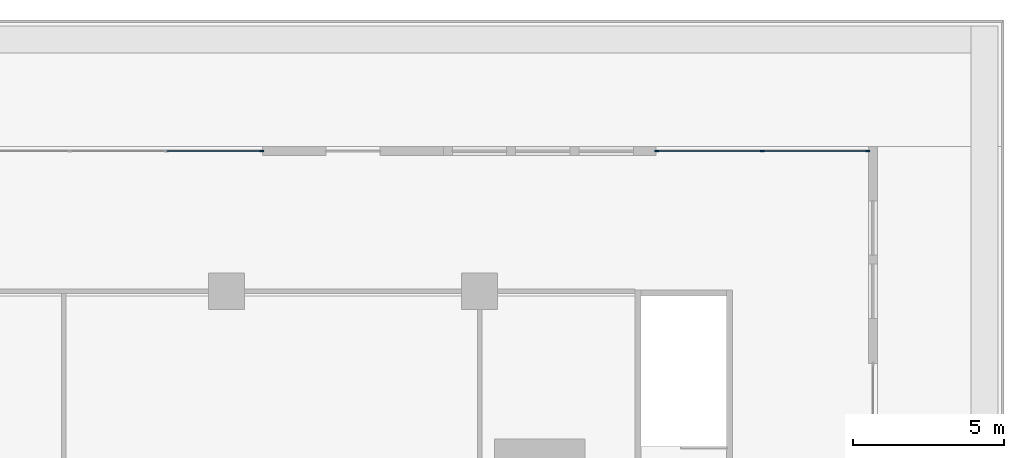
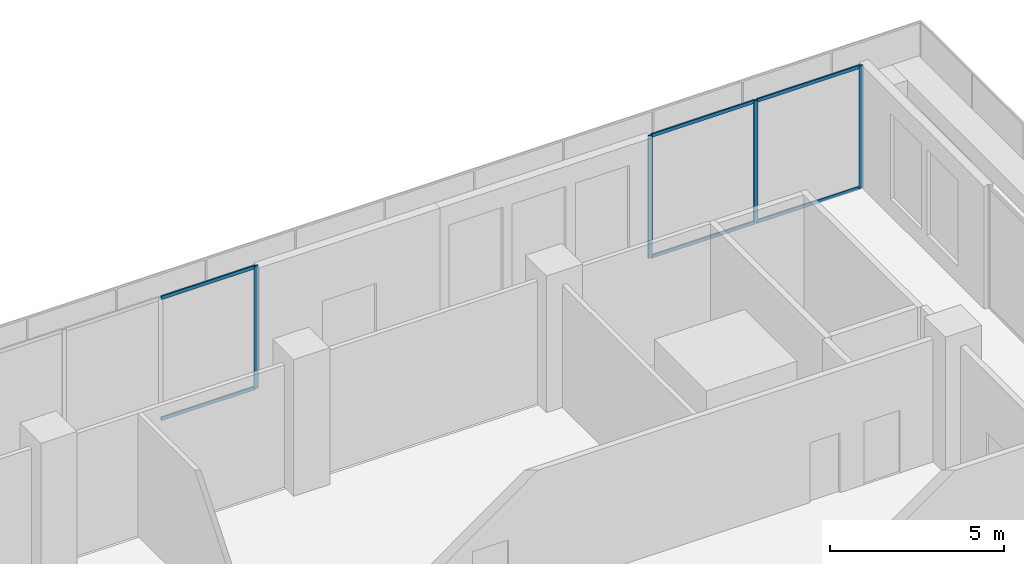
# One storey, part 10 of 22: 10 members, 2 elements without a shape of their own.
"""IFC4 building model written with IfcOpenShell, lengths in metres."""

from ifc_helpers import new_model, si_unit, direction, frame, origin, origin_2d, place, context, subcontext, project, spatial, rectangle, extrude, material, material_profile, profile_set, type_object, element, aggregate, save


model = new_model("IFC4")

# Units and contexts
model_context = context("Model", 3, precision=1e-05, world=origin(), true_north=direction((0.0, 1.0)))
body_context = subcontext(model_context, "Body", "Model", "MODEL_VIEW")
ifc_project = project(units=[si_unit("LENGTHUNIT", "METRE"), si_unit("AREAUNIT", "SQUARE_METRE"), si_unit("VOLUMEUNIT", "CUBIC_METRE"), si_unit("PLANEANGLEUNIT", "RADIAN"), si_unit("MASSUNIT", "GRAM", prefix="KILO")], contexts=[model_context])

# Site, building, storey
site_placement = place(None, origin())
site = spatial("IfcSite", under=ifc_project, at=site_placement, CompositionType="ELEMENT")
building_placement = place(site_placement, origin())
building = spatial("IfcBuilding", under=site, at=building_placement, Name="Khepri Terraces", CompositionType="ELEMENT")
storey_placement = place(building_placement, frame((0.0, 0.0, 22.199951171875)))
storey = spatial("IfcBuildingStorey", under=building, at=storey_placement, Name="L04", CompositionType="ELEMENT", Elevation=22.199951171875)

# Curtain wall, members
ifc_material_1 = material(Name="Anodised aluminium bronze curtain wall", Category="aluminium")
curtain_wall_type = type_object("IfcCurtainWallType", Name="CW-SYS6-LOUNGE", PredefinedType="NOTDEFINED", material=ifc_material_1)
curtain_wall_1_placement = place(storey_placement, origin())
curtain_wall_1 = element("IfcCurtainWall", 1, at=curtain_wall_1_placement, inside=storey, type_object=curtain_wall_type, Name="Curtain wall CW6 L04 N", PredefinedType="NOTDEFINED")
ifc_material_2 = material(Name="Anodised aluminium bronze", Category="aluminium")
ifc_material_profile_1 = material_profile(ifc_material_2, rectangle(XDim=0.050048828125, YDim=0.139892578125, at=origin_2d()), Name="Anodised aluminium bronze", Category="aluminium")
ifc_profile_set_1 = profile_set([ifc_material_profile_1], Name="Anodised aluminium bronze")
member_type_1 = type_object("IfcMemberType", Name="CW-MULLION-50x140", PredefinedType="MULLION", material=ifc_profile_set_1)
member_1_placement = place(storey_placement, frame((29.675048828125, 29.85009765625, 0.0), z_axis=(0.0, 0.0, 1.0), x_axis=(0.0, -1.0, 0.0)))
member_1 = element("IfcMember", 2, at=member_1_placement, type_object=member_type_1, Name="CW6 mullion 1", PredefinedType="MULLION", context=body_context, shape_type="SweptSolid", body=[
    extrude(rectangle(XDim=0.050048828125, YDim=0.139892578125, at=origin_2d()), origin(), (0.0, 0.0, 1.0), 4.300048828125),
])
member_2_placement = place(storey_placement, frame((26.175048828125, 29.85009765625, 0.0), z_axis=(0.0, 0.0, 1.0), x_axis=(0.0, -1.0, 0.0)))
member_2 = element("IfcMember", 3, at=member_2_placement, type_object=member_type_1, Name="CW6 mullion 2", PredefinedType="MULLION", context=body_context, shape_type="SweptSolid", body=[
    extrude(rectangle(XDim=0.050048828125, YDim=0.139892578125, at=origin_2d()), origin(), (0.0, 0.0, 1.0), 4.300048828125),
])
member_3_placement = place(storey_placement, frame((22.675048828125, 29.85009765625, 0.0), z_axis=(0.0, 0.0, 1.0), x_axis=(0.0, -1.0, 0.0)))
member_3 = element("IfcMember", 4, at=member_3_placement, type_object=member_type_1, Name="CW6 mullion 3", PredefinedType="MULLION", context=body_context, shape_type="SweptSolid", body=[
    extrude(rectangle(XDim=0.050048828125, YDim=0.139892578125, at=origin_2d()), origin(), (0.0, 0.0, 1.0), 4.300048828125),
])

# Curtain wall, member
curtain_wall_2_placement = place(storey_placement, origin())
curtain_wall_2 = element("IfcCurtainWall", 5, at=curtain_wall_2_placement, inside=storey, type_object=curtain_wall_type, Name="Curtain wall CW6 L04 N", PredefinedType="NOTDEFINED")
member_4_placement = place(storey_placement, frame((9.574951171875, 29.85009765625, 0.0), z_axis=(0.0, 0.0, 1.0), x_axis=(0.0, -1.0, 0.0)))
member_4 = element("IfcMember", 6, at=member_4_placement, type_object=member_type_1, Name="CW6 mullion 1", PredefinedType="MULLION", context=body_context, shape_type="SweptSolid", body=[
    extrude(rectangle(XDim=0.050048828125, YDim=0.139892578125, at=origin_2d()), origin(), (0.0, 0.0, 1.0), 4.300048828125),
])

# Member
ifc_material_profile_2 = material_profile(ifc_material_2, rectangle(XDim=0.050048828125, YDim=0.1201171875, at=origin_2d()), Name="Anodised aluminium bronze", Category="aluminium")
ifc_profile_set_2 = profile_set([ifc_material_profile_2], Name="Anodised aluminium bronze")
member_type_2 = type_object("IfcMemberType", Name="CW-TRANSOM-50x120", PredefinedType="USERDEFINED", material=ifc_profile_set_2)
member_5_placement = place(storey_placement, frame((29.64990234375, 29.85009765625, 0.025146484375), z_axis=(-1.0, 0.0, 0.0), x_axis=(0.0, -1.0, 0.0)))
member_5 = element("IfcMember", 7, at=member_5_placement, type_object=member_type_2, Name="CW6 transom 1.1", ObjectType="TRANSOM", PredefinedType="USERDEFINED", context=body_context, shape_type="SweptSolid", body=[
    extrude(rectangle(XDim=0.050048828125, YDim=0.1201171875, at=origin_2d()), origin(), (0.0, 0.0, 1.0), 3.449951171875),
])

member_6_placement = place(storey_placement, frame((29.64990234375, 29.85009765625, 4.275146484375), z_axis=(-1.0, 0.0, 0.0), x_axis=(0.0, -1.0, 0.0)))
member_6 = element("IfcMember", 8, at=member_6_placement, type_object=member_type_2, Name="CW6 transom 1.2", ObjectType="TRANSOM", PredefinedType="USERDEFINED", context=body_context, shape_type="SweptSolid", body=[
    extrude(rectangle(XDim=0.050048828125, YDim=0.1201171875, at=origin_2d()), origin(), (0.0, 0.0, 1.0), 3.449951171875),
])

member_7_placement = place(storey_placement, frame((26.14990234375, 29.85009765625, 0.025146484375), z_axis=(-1.0, 0.0, 0.0), x_axis=(0.0, -1.0, 0.0)))
member_7 = element("IfcMember", 9, at=member_7_placement, type_object=member_type_2, Name="CW6 transom 2.1", ObjectType="TRANSOM", PredefinedType="USERDEFINED", context=body_context, shape_type="SweptSolid", body=[
    extrude(rectangle(XDim=0.050048828125, YDim=0.1201171875, at=origin_2d()), origin(), (0.0, 0.0, 1.0), 3.449951171875),
])

member_8_placement = place(storey_placement, frame((26.14990234375, 29.85009765625, 4.275146484375), z_axis=(-1.0, 0.0, 0.0), x_axis=(0.0, -1.0, 0.0)))
member_8 = element("IfcMember", 10, at=member_8_placement, type_object=member_type_2, Name="CW6 transom 2.2", ObjectType="TRANSOM", PredefinedType="USERDEFINED", context=body_context, shape_type="SweptSolid", body=[
    extrude(rectangle(XDim=0.050048828125, YDim=0.1201171875, at=origin_2d()), origin(), (0.0, 0.0, 1.0), 3.449951171875),
])

aggregate(curtain_wall_1, [member_1, member_2, member_3, member_5, member_6, member_7, member_8])

member_9_placement = place(storey_placement, frame((9.550048828125, 29.85009765625, 0.025146484375), z_axis=(-1.0, 0.0, 0.0), x_axis=(0.0, -1.0, 0.0)))
member_9 = element("IfcMember", 11, at=member_9_placement, type_object=member_type_2, Name="CW6 transom 1.1", ObjectType="TRANSOM", PredefinedType="USERDEFINED", context=body_context, shape_type="SweptSolid", body=[
    extrude(rectangle(XDim=0.050048828125, YDim=0.1201171875, at=origin_2d()), origin(), (0.0, 0.0, 1.0), 3.125),
])

member_10_placement = place(storey_placement, frame((9.550048828125, 29.85009765625, 4.275146484375), z_axis=(-1.0, 0.0, 0.0), x_axis=(0.0, -1.0, 0.0)))
member_10 = element("IfcMember", 12, at=member_10_placement, type_object=member_type_2, Name="CW6 transom 1.2", ObjectType="TRANSOM", PredefinedType="USERDEFINED", context=body_context, shape_type="SweptSolid", body=[
    extrude(rectangle(XDim=0.050048828125, YDim=0.1201171875, at=origin_2d()), origin(), (0.0, 0.0, 1.0), 3.125),
])

aggregate(curtain_wall_2, [member_4, member_9, member_10])

save(model, "model.ifc")
